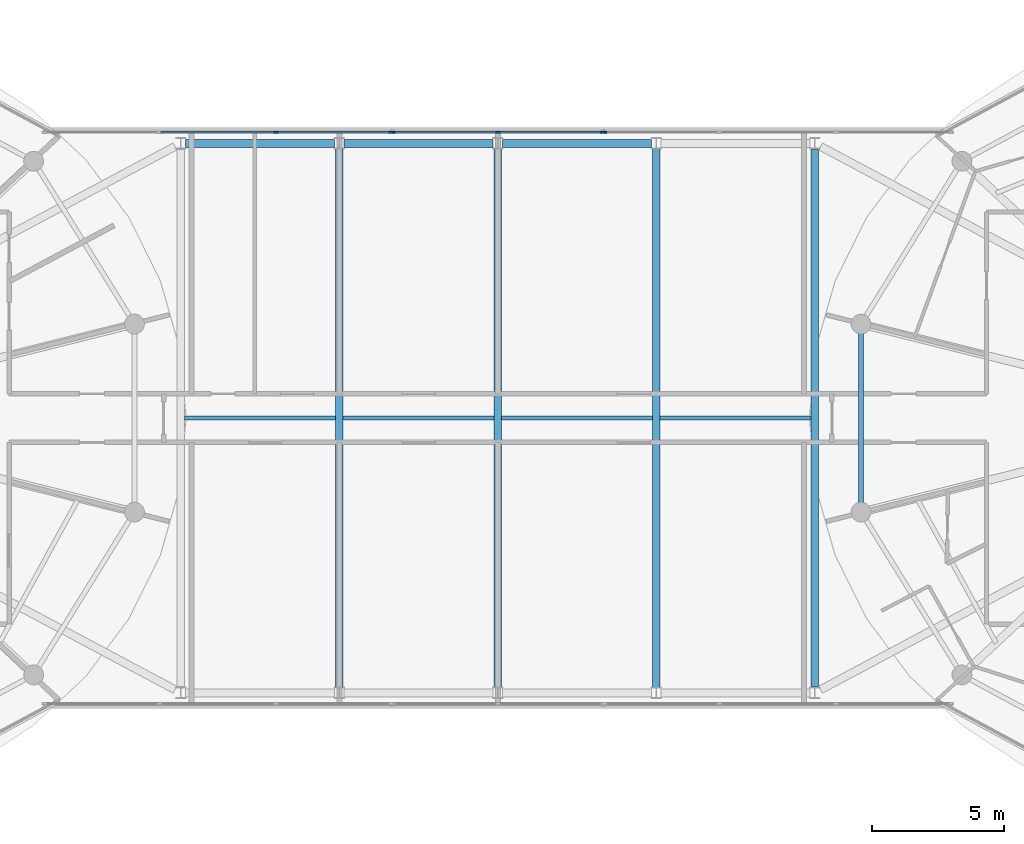
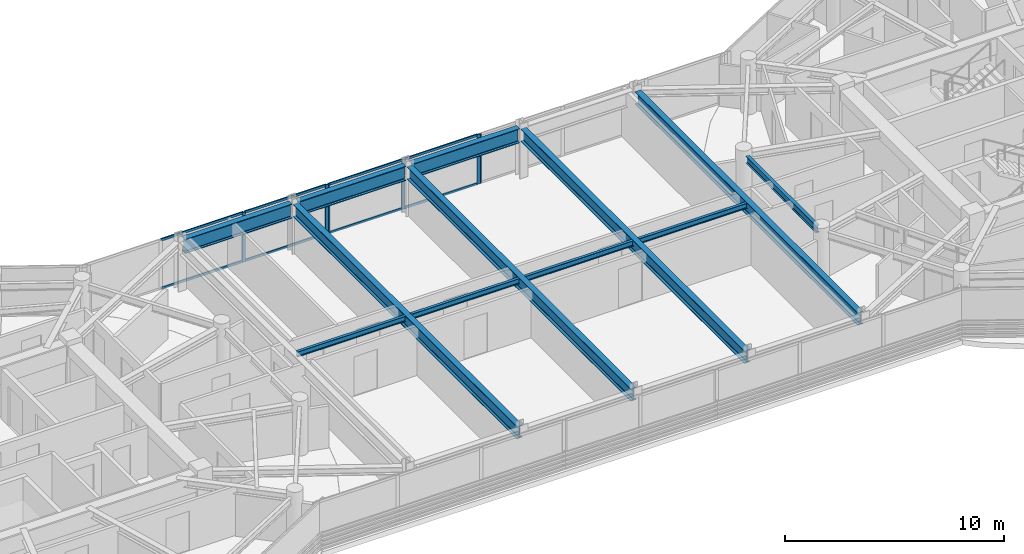
# One storey, part 7 of 23: 14 members, 12 beams, 3 elements without a shape of their own.
"""IFC4 building model written with IfcOpenShell, lengths in metres."""

from ifc_helpers import new_model, si_unit, direction, frame, origin, origin_2d, place, context, subcontext, project, spatial, rectangle, i_section, extrude, source, transform, mapped, material, layer, layer_set, material_profile, profile_set, type_object, type_shapes, element, aggregate, save


model = new_model("IFC4")

# Units and contexts
model_context = context("Model", 3, precision=1e-05, world=origin(), true_north=direction((0.0, 1.0)))
body_context = subcontext(model_context, "Body", "Model", "MODEL_VIEW")
ifc_project = project(units=[si_unit("LENGTHUNIT", "METRE"), si_unit("AREAUNIT", "SQUARE_METRE"), si_unit("VOLUMEUNIT", "CUBIC_METRE"), si_unit("PLANEANGLEUNIT", "RADIAN"), si_unit("MASSUNIT", "GRAM", prefix="KILO")], contexts=[model_context])

# Site, building, storey
site_placement = place(None, origin())
site = spatial("IfcSite", under=ifc_project, at=site_placement, CompositionType="ELEMENT")
building_placement = place(site_placement, origin())
building = spatial("IfcBuilding", under=site, at=building_placement, Name="Norrkilde Senior Care Towers", CompositionType="ELEMENT")
storey_placement = place(building_placement, frame((0.0, 0.0, 216.949951171875)))
storey = spatial("IfcBuildingStorey", under=building, at=storey_placement, Name="L67", CompositionType="ELEMENT", Elevation=216.949951171875)

# Beams
ifc_material_1 = material(Name="Steel S355", Category="steel")
ifc_material_profile_1 = material_profile(ifc_material_1, i_section(OverallWidth=0.179931640625, OverallDepth=0.39990234375, WebThickness=0.008544921875, FlangeThickness=0.013427734375, FilletRadius=0.02099609375, at=origin_2d()), Name="IPE 400")
ifc_profile_set_1 = profile_set([ifc_material_profile_1], Name="Steel S355")
beam_type_1 = type_object("IfcBeamType", Name="Perimeter Ring Spandrel Z4 IPE400", PredefinedType="SPANDREL", material=ifc_profile_set_1)
shared_shape_1 = source(origin(), body_context, "Body", "SweptSolid", [
    extrude(i_section(OverallWidth=0.179931640625, OverallDepth=0.39990234375, WebThickness=0.008544921875, FlangeThickness=0.013427734375, FilletRadius=0.02099609375, at=origin_2d()), origin(), (0.0, 0.0, 1.0), 6.44775390625),
])
type_shapes(beam_type_1, [shared_shape_1])
beam_1_placement = place(storey_placement, frame((13.752685546875, 3.223876953125, 2.56005859375), z_axis=(0.0, -1.0, 0.0), x_axis=(1.0, 0.0, 0.0)))
element("IfcBeam", 1, at=beam_1_placement, inside=storey, type_object=beam_type_1, Name="L67 Drum E Perimeter Spandrel 06", PredefinedType="SPANDREL", context=body_context, shape_type="MappedRepresentation", body=[
    mapped(shared_shape_1, transform((0.0, 0.0, 0.0), x_axis=(1.0, 0.0, 0.0), y_axis=(0.0, 1.0, 0.0), z_axis=(0.0, 0.0, 1.0), scale=1.0)),
])
ifc_material_profile_2 = material_profile(ifc_material_1, i_section(OverallWidth=0.300048828125, OverallDepth=0.699951171875, WebThickness=0.01708984375, FlangeThickness=0.031982421875, FilletRadius=0.027099609375, at=origin_2d()), Name="HEB 700")
ifc_profile_set_2 = profile_set([ifc_material_profile_2], Name="Steel S355")
beam_type_2 = type_object("IfcBeamType", Name="Bridge Cross Girder HEB700", PredefinedType="USERDEFINED", material=ifc_profile_set_2)
shared_shape_2 = source(origin(), body_context, "Body", "SweptSolid", [
    extrude(i_section(OverallWidth=0.300048828125, OverallDepth=0.699951171875, WebThickness=0.01708984375, FlangeThickness=0.031982421875, FilletRadius=0.027099609375, at=origin_2d()), origin(), (0.0, 0.0, 1.0), 20.31982421875),
])
beam_2_placement = place(storey_placement, frame((12.0, -10.159912109375, 2.41015625), z_axis=(0.0, 1.0, 0.0), x_axis=(-1.0, 0.0, 0.0)))
element("IfcBeam", 2, at=beam_2_placement, inside=storey, type_object=beam_type_2, Name="L67 Sky-Gate Bridge Cross Girder +12", ObjectType="GIRDER", PredefinedType="USERDEFINED", context=body_context, shape_type="MappedRepresentation", body=[
    mapped(shared_shape_2, transform((0.0, 0.0, 0.0), x_axis=(1.0, 0.0, 0.0), y_axis=(0.0, 1.0, 0.0), z_axis=(0.0, 0.0, 1.0), scale=1.0)),
])
shared_shape_3 = source(origin(), body_context, "Body", "SweptSolid", [
    extrude(i_section(OverallWidth=0.300048828125, OverallDepth=0.699951171875, WebThickness=0.01708984375, FlangeThickness=0.031982421875, FilletRadius=0.027099609375, at=origin_2d()), origin(), (0.0, 0.0, 1.0), 20.43994140625),
])
type_shapes(beam_type_2, [shared_shape_2, shared_shape_3])
for number, where, z_axis, x_axis, name in (
    (3, (-6.0, -10.219970703125, 2.41015625), (0.0, 1.0, 0.0), (-1.0, 0.0, 0.0), "L67 Sky-Gate Bridge Cross Girder -6"),
    (4, (0.0, -10.219970703125, 2.41015625), (0.0, 1.0, 0.0), (-1.0, 0.0, 0.0), "L67 Sky-Gate Bridge Cross Girder +0"),
    (5, (6.0, -10.219970703125, 2.41015625), (0.0, 1.0, 0.0), (-1.0, 0.0, 0.0), "L67 Sky-Gate Bridge Cross Girder +6"),
):
    element("IfcBeam", number, at=place(storey_placement, frame(where, z_axis=z_axis, x_axis=x_axis)), inside=storey, type_object=beam_type_2, Name=name, ObjectType="GIRDER", PredefinedType="USERDEFINED", context=body_context, shape_type="MappedRepresentation", body=[
        mapped(shared_shape_3, transform((0.0, 0.0, 0.0), x_axis=(1.0, 0.0, 0.0), y_axis=(0.0, 1.0, 0.0), z_axis=(0.0, 0.0, 1.0), scale=1.0)),
    ])
ifc_material_profile_3 = material_profile(ifc_material_1, i_section(OverallWidth=0.300048828125, OverallDepth=0.800048828125, WebThickness=0.017578125, FlangeThickness=0.032958984375, FilletRadius=0.030029296875, at=origin_2d()), Name="HEB 800")
ifc_profile_set_3 = profile_set([ifc_material_profile_3], Name="Steel S355")
beam_type_3 = type_object("IfcBeamType", Name="Bridge Floor Girder HEB800", PredefinedType="USERDEFINED", material=ifc_profile_set_3)
shared_shape_4 = source(origin(), body_context, "Body", "SweptSolid", [
    extrude(i_section(OverallWidth=0.300048828125, OverallDepth=0.800048828125, WebThickness=0.017578125, FlangeThickness=0.032958984375, FilletRadius=0.030029296875, at=origin_2d()), origin(), (0.0, 0.0, 1.0), 5.64013671875),
])
type_shapes(beam_type_3, [shared_shape_4])
for number, where, z_axis, x_axis, name in (
    (6, (-11.820068359375, 10.39990234375, 2.360107421875), (1.0, 0.0, 0.0), (0.0, 1.0, 0.0), "L67 Sky-Gate Bridge Girder N2"),
    (7, (-5.820068359375, 10.39990234375, 2.360107421875), (1.0, 0.0, 0.0), (0.0, 1.0, 0.0), "L67 Sky-Gate Bridge Girder N3"),
    (8, (0.179931640625, 10.39990234375, 2.360107421875), (1.0, 0.0, 0.0), (0.0, 1.0, 0.0), "L67 Sky-Gate Bridge Girder N4"),
):
    element("IfcBeam", number, at=place(storey_placement, frame(where, z_axis=z_axis, x_axis=x_axis)), inside=storey, type_object=beam_type_3, Name=name, ObjectType="GIRDER", PredefinedType="USERDEFINED", context=body_context, shape_type="MappedRepresentation", body=[
        mapped(shared_shape_4, transform((0.0, 0.0, 0.0), x_axis=(1.0, 0.0, 0.0), y_axis=(0.0, 1.0, 0.0), z_axis=(0.0, 0.0, 1.0), scale=1.0)),
    ])
ifc_material_profile_4 = material_profile(ifc_material_1, i_section(OverallWidth=0.14990234375, OverallDepth=0.300048828125, WebThickness=0.007080078125, FlangeThickness=0.0107421875, FilletRadius=0.014892578125, at=origin_2d()), Name="IPE 300")
ifc_profile_set_4 = profile_set([ifc_material_profile_4], Name="Steel S355")
beam_type_4 = type_object("IfcBeamType", Name="Bridge Deck Joist IPE300", PredefinedType="JOIST", material=ifc_profile_set_4)
shared_shape_5 = source(origin(), body_context, "Body", "SweptSolid", [
    extrude(i_section(OverallWidth=0.14990234375, OverallDepth=0.300048828125, WebThickness=0.007080078125, FlangeThickness=0.0107421875, FilletRadius=0.014892578125, at=origin_2d()), origin(), (0.0, 0.0, 1.0), 5.7099609375),
])
type_shapes(beam_type_4, [shared_shape_5])
for number, where, z_axis, x_axis, name in (
    (9, (-11.85498046875, 0.0, 2.610107421875), (1.0, 0.0, 0.0), (0.0, 1.0, 0.0), "L67 Bridge Deck Joist 1"),
    (10, (-5.85498046875, 0.0, 2.610107421875), (1.0, 0.0, 0.0), (0.0, 1.0, 0.0), "L67 Bridge Deck Joist 2"),
    (11, (0.14501953125, 0.0, 2.610107421875), (1.0, 0.0, 0.0), (0.0, 1.0, 0.0), "L67 Bridge Deck Joist 3"),
    (12, (6.14501953125, 0.0, 2.610107421875), (1.0, 0.0, 0.0), (0.0, 1.0, 0.0), "L67 Bridge Deck Joist 4"),
):
    element("IfcBeam", number, at=place(storey_placement, frame(where, z_axis=z_axis, x_axis=x_axis)), inside=storey, type_object=beam_type_4, Name=name, PredefinedType="JOIST", context=body_context, shape_type="MappedRepresentation", body=[
        mapped(shared_shape_5, transform((0.0, 0.0, 0.0), x_axis=(1.0, 0.0, 0.0), y_axis=(0.0, 1.0, 0.0), z_axis=(0.0, 0.0, 1.0), scale=1.0)),
    ])

# Curtain wall, members
ifc_material_2 = material(Name="Triple Low-E Insulated Glazing", Category="glass")
ifc_layer = layer(ifc_material_2, 0.2099609375)
ifc_layer_set = layer_set([ifc_layer], Name="Triple Low-E Insulated Glazing")
curtain_wall_type = type_object("IfcCurtainWallType", Name="CW5 Sky-Gate Bridge Curtain Wall", PredefinedType="NOTDEFINED", material=ifc_layer_set)
curtain_wall_1_placement = place(storey_placement, origin())
curtain_wall_1 = element("IfcCurtainWall", 13, at=curtain_wall_1_placement, inside=storey, type_object=curtain_wall_type, Name="L67 Sky-Gate Bridge North Curtain Wall 1", PredefinedType="NOTDEFINED")
ifc_material_3 = material(Name="Anodised Aluminium", Category="aluminium")
ifc_material_profile_5 = material_profile(ifc_material_3, rectangle(XDim=0.06494140625, YDim=0.1298828125, at=origin_2d()), Name="ALU TRAN 65x130")
ifc_profile_set_5 = profile_set([ifc_material_profile_5], Name="Anodised Aluminium")
member_type_1 = type_object("IfcMemberType", Name="Curtain Wall Transom Heavy 65x130", PredefinedType="USERDEFINED", material=ifc_profile_set_5)
shared_shape_6 = source(origin(), body_context, "Body", "SweptSolid", [
    extrude(rectangle(XDim=0.06494140625, YDim=0.1298828125, at=origin_2d()), origin(), (0.0, 0.0, 1.0), 4.294921875),
])
member_1_placement = place(storey_placement, frame((-8.364990234375, 10.820068359375, 0.032470703125), z_axis=(1.0, 0.0, 0.0), x_axis=(0.0, 1.0, 0.0)))
member_1 = element("IfcMember", 14, at=member_1_placement, type_object=member_type_1, Name="CW-5 transom 3.1", ObjectType="TRANSOM", PredefinedType="USERDEFINED", context=body_context, shape_type="MappedRepresentation", body=[
    mapped(shared_shape_6, transform((0.0, 0.0, 0.0), x_axis=(1.0, 0.0, 0.0), y_axis=(0.0, 1.0, 0.0), z_axis=(0.0, 0.0, 1.0), scale=1.0)),
])
member_2_placement = place(storey_placement, frame((-8.364990234375, 10.820068359375, 2.7275390625), z_axis=(1.0, 0.0, 0.0), x_axis=(0.0, 1.0, 0.0)))
member_2 = element("IfcMember", 15, at=member_2_placement, type_object=member_type_1, Name="CW-5 transom 3.2", ObjectType="TRANSOM", PredefinedType="USERDEFINED", context=body_context, shape_type="MappedRepresentation", body=[
    mapped(shared_shape_6, transform((0.0, 0.0, 0.0), x_axis=(1.0, 0.0, 0.0), y_axis=(0.0, 1.0, 0.0), z_axis=(0.0, 0.0, 1.0), scale=1.0)),
])
shared_shape_7 = source(origin(), body_context, "Body", "SweptSolid", [
    extrude(rectangle(XDim=0.06494140625, YDim=0.1298828125, at=origin_2d()), origin(), (0.0, 0.0, 1.0), 4.329833984375),
])
member_3_placement = place(storey_placement, frame((-12.764892578125, 10.820068359375, 0.032470703125), z_axis=(1.0, 0.0, 0.0), x_axis=(0.0, 1.0, 0.0)))
member_3 = element("IfcMember", 16, at=member_3_placement, type_object=member_type_1, Name="CW-5 transom 2.1", ObjectType="TRANSOM", PredefinedType="USERDEFINED", context=body_context, shape_type="MappedRepresentation", body=[
    mapped(shared_shape_7, transform((0.0, 0.0, 0.0), x_axis=(1.0, 0.0, 0.0), y_axis=(0.0, 1.0, 0.0), z_axis=(0.0, 0.0, 1.0), scale=1.0)),
])
member_4_placement = place(storey_placement, frame((-12.764892578125, 10.820068359375, 2.7275390625), z_axis=(1.0, 0.0, 0.0), x_axis=(0.0, 1.0, 0.0)))
member_4 = element("IfcMember", 17, at=member_4_placement, type_object=member_type_1, Name="CW-5 transom 2.2", ObjectType="TRANSOM", PredefinedType="USERDEFINED", context=body_context, shape_type="MappedRepresentation", body=[
    mapped(shared_shape_7, transform((0.0, 0.0, 0.0), x_axis=(1.0, 0.0, 0.0), y_axis=(0.0, 1.0, 0.0), z_axis=(0.0, 0.0, 1.0), scale=1.0)),
])

curtain_wall_2_placement = place(storey_placement, origin())
curtain_wall_2 = element("IfcCurtainWall", 18, at=curtain_wall_2_placement, inside=storey, type_object=curtain_wall_type, Name="L67 Sky-Gate Bridge North Curtain Wall 2", PredefinedType="NOTDEFINED")
shared_shape_8 = source(origin(), body_context, "Body", "SweptSolid", [
    extrude(rectangle(XDim=0.06494140625, YDim=0.1298828125, at=origin_2d()), origin(), (0.0, 0.0, 1.0), 3.89501953125),
])
type_shapes(member_type_1, [shared_shape_6, shared_shape_7, shared_shape_8])
member_5_placement = place(storey_placement, frame((-3.929931640625, 10.820068359375, 0.032470703125), z_axis=(1.0, 0.0, 0.0), x_axis=(0.0, 1.0, 0.0)))
member_5 = element("IfcMember", 19, at=member_5_placement, type_object=member_type_1, Name="CW-5 transom 1.1", ObjectType="TRANSOM", PredefinedType="USERDEFINED", context=body_context, shape_type="MappedRepresentation", body=[
    mapped(shared_shape_8, transform((0.0, 0.0, 0.0), x_axis=(1.0, 0.0, 0.0), y_axis=(0.0, 1.0, 0.0), z_axis=(0.0, 0.0, 1.0), scale=1.0)),
])
member_6_placement = place(storey_placement, frame((-3.929931640625, 10.820068359375, 2.7275390625), z_axis=(1.0, 0.0, 0.0), x_axis=(0.0, 1.0, 0.0)))
member_6 = element("IfcMember", 20, at=member_6_placement, type_object=member_type_1, Name="CW-5 transom 1.2", ObjectType="TRANSOM", PredefinedType="USERDEFINED", context=body_context, shape_type="MappedRepresentation", body=[
    mapped(shared_shape_8, transform((0.0, 0.0, 0.0), x_axis=(1.0, 0.0, 0.0), y_axis=(0.0, 1.0, 0.0), z_axis=(0.0, 0.0, 1.0), scale=1.0)),
])
member_7_placement = place(storey_placement, frame((0.034912109375, 10.820068359375, 0.032470703125), z_axis=(1.0, 0.0, 0.0), x_axis=(0.0, 1.0, 0.0)))
member_7 = element("IfcMember", 21, at=member_7_placement, type_object=member_type_1, Name="CW-5 transom 2.1", ObjectType="TRANSOM", PredefinedType="USERDEFINED", context=body_context, shape_type="MappedRepresentation", body=[
    mapped(shared_shape_8, transform((0.0, 0.0, 0.0), x_axis=(1.0, 0.0, 0.0), y_axis=(0.0, 1.0, 0.0), z_axis=(0.0, 0.0, 1.0), scale=1.0)),
])
member_8_placement = place(storey_placement, frame((0.034912109375, 10.820068359375, 2.7275390625), z_axis=(1.0, 0.0, 0.0), x_axis=(0.0, 1.0, 0.0)))
member_8 = element("IfcMember", 22, at=member_8_placement, type_object=member_type_1, Name="CW-5 transom 2.2", ObjectType="TRANSOM", PredefinedType="USERDEFINED", context=body_context, shape_type="MappedRepresentation", body=[
    mapped(shared_shape_8, transform((0.0, 0.0, 0.0), x_axis=(1.0, 0.0, 0.0), y_axis=(0.0, 1.0, 0.0), z_axis=(0.0, 0.0, 1.0), scale=1.0)),
])

# Member
ifc_material_profile_6 = material_profile(ifc_material_3, rectangle(XDim=0.070068359375, YDim=0.169921875, at=origin_2d()), Name="ALU MULL 70x170")
ifc_profile_set_6 = profile_set([ifc_material_profile_6], Name="Anodised Aluminium")
member_type_2 = type_object("IfcMemberType", Name="Curtain Wall Mullion Heavy 70x170", PredefinedType="MULLION", material=ifc_profile_set_6)
shared_shape_9 = source(origin(), body_context, "Body", "SweptSolid", [
    extrude(rectangle(XDim=0.070068359375, YDim=0.169921875, at=origin_2d()), origin(), (0.0, 0.0, 1.0), 2.760009765625),
])
type_shapes(member_type_2, [shared_shape_9])
member_9_placement = place(storey_placement, frame((-8.39990234375, 10.820068359375, 0.0), z_axis=(0.0, 0.0, 1.0), x_axis=(0.0, 1.0, 0.0)))
member_9 = element("IfcMember", 23, at=member_9_placement, type_object=member_type_2, Name="CW-5 mullion 3", PredefinedType="MULLION", context=body_context, shape_type="MappedRepresentation", body=[
    mapped(shared_shape_9, transform((0.0, 0.0, 0.0), x_axis=(1.0, 0.0, 0.0), y_axis=(0.0, 1.0, 0.0), z_axis=(0.0, 0.0, 1.0), scale=1.0)),
])

member_10_placement = place(storey_placement, frame((-4.034912109375, 10.820068359375, 0.0), z_axis=(0.0, 0.0, 1.0), x_axis=(0.0, 1.0, 0.0)))
member_10 = element("IfcMember", 24, at=member_10_placement, type_object=member_type_2, Name="CW-5 mullion 4", PredefinedType="MULLION", context=body_context, shape_type="MappedRepresentation", body=[
    mapped(shared_shape_9, transform((0.0, 0.0, 0.0), x_axis=(1.0, 0.0, 0.0), y_axis=(0.0, 1.0, 0.0), z_axis=(0.0, 0.0, 1.0), scale=1.0)),
])

aggregate(curtain_wall_1, [member_9, member_10, member_3, member_4, member_1, member_2])

member_11_placement = place(storey_placement, frame((-3.965087890625, 10.820068359375, 0.0), z_axis=(0.0, 0.0, 1.0), x_axis=(0.0, 1.0, 0.0)))
member_11 = element("IfcMember", 25, at=member_11_placement, type_object=member_type_2, Name="CW-5 mullion 1", PredefinedType="MULLION", context=body_context, shape_type="MappedRepresentation", body=[
    mapped(shared_shape_9, transform((0.0, 0.0, 0.0), x_axis=(1.0, 0.0, 0.0), y_axis=(0.0, 1.0, 0.0), z_axis=(0.0, 0.0, 1.0), scale=1.0)),
])

member_12_placement = place(storey_placement, frame((0.0, 10.820068359375, 0.0), z_axis=(0.0, 0.0, 1.0), x_axis=(0.0, 1.0, 0.0)))
member_12 = element("IfcMember", 26, at=member_12_placement, type_object=member_type_2, Name="CW-5 mullion 2", PredefinedType="MULLION", context=body_context, shape_type="MappedRepresentation", body=[
    mapped(shared_shape_9, transform((0.0, 0.0, 0.0), x_axis=(1.0, 0.0, 0.0), y_axis=(0.0, 1.0, 0.0), z_axis=(0.0, 0.0, 1.0), scale=1.0)),
])

member_13_placement = place(storey_placement, frame((3.965087890625, 10.820068359375, 0.0), z_axis=(0.0, 0.0, 1.0), x_axis=(0.0, 1.0, 0.0)))
member_13 = element("IfcMember", 27, at=member_13_placement, type_object=member_type_2, Name="CW-5 mullion 3", PredefinedType="MULLION", context=body_context, shape_type="MappedRepresentation", body=[
    mapped(shared_shape_9, transform((0.0, 0.0, 0.0), x_axis=(1.0, 0.0, 0.0), y_axis=(0.0, 1.0, 0.0), z_axis=(0.0, 0.0, 1.0), scale=1.0)),
])

aggregate(curtain_wall_2, [member_11, member_12, member_13, member_5, member_6, member_7, member_8])

# Curtain wall, member
curtain_wall_3_placement = place(storey_placement, origin())
curtain_wall_3 = element("IfcCurtainWall", 28, at=curtain_wall_3_placement, inside=storey, type_object=curtain_wall_type, Name="L67 Sky-Gate Bridge North Curtain Wall 3", PredefinedType="NOTDEFINED")
member_14_placement = place(storey_placement, frame((4.034912109375, 10.820068359375, 0.0), z_axis=(0.0, 0.0, 1.0), x_axis=(0.0, 1.0, 0.0)))
member_14 = element("IfcMember", 29, at=member_14_placement, type_object=member_type_2, Name="CW-5 mullion 1", PredefinedType="MULLION", context=body_context, shape_type="MappedRepresentation", body=[
    mapped(shared_shape_9, transform((0.0, 0.0, 0.0), x_axis=(1.0, 0.0, 0.0), y_axis=(0.0, 1.0, 0.0), z_axis=(0.0, 0.0, 1.0), scale=1.0)),
])
aggregate(curtain_wall_3, [member_14])

save(model, "model.ifc")
